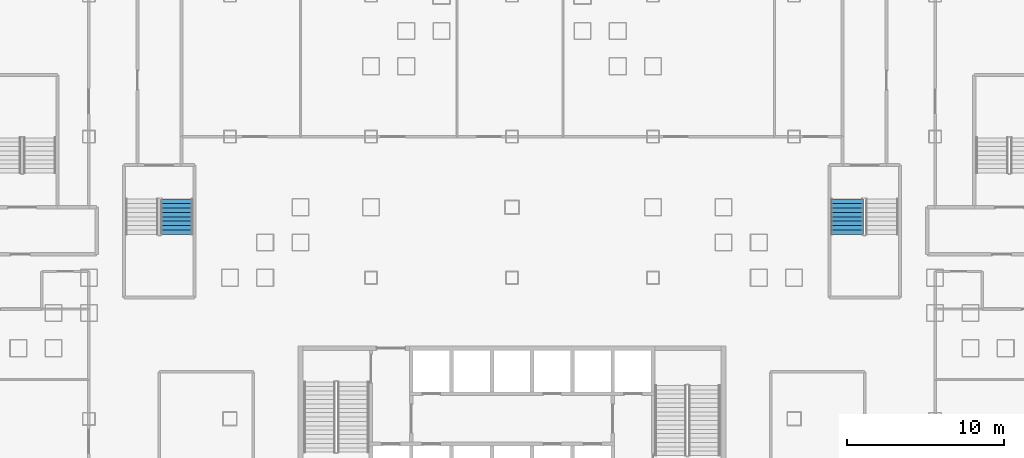
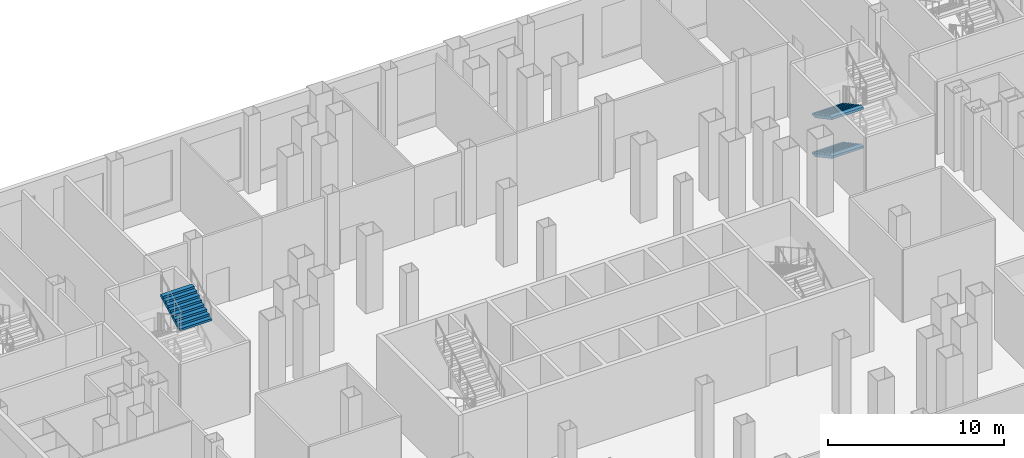
# One storey, part 18 of 27: 3 stair flights, 2 elements without a shape of their own.
"""IFC4 building model written with IfcOpenShell, lengths in metres."""

from ifc_helpers import new_model, si_unit, direction, frame, origin, place, context, subcontext, project, spatial, polygons, material, type_object, element, aggregate, save


model = new_model("IFC4")

# Units and contexts
model_context = context("Model", 3, precision=1e-05, world=origin(), true_north=direction((0.0, 1.0)))
body_context = subcontext(model_context, "Body", "Model", "MODEL_VIEW")
ifc_project = project(units=[si_unit("LENGTHUNIT", "METRE"), si_unit("AREAUNIT", "SQUARE_METRE"), si_unit("VOLUMEUNIT", "CUBIC_METRE"), si_unit("PLANEANGLEUNIT", "RADIAN"), si_unit("MASSUNIT", "GRAM", prefix="KILO")], contexts=[model_context])

# Site, building, storey
site_placement = place(None, origin())
site = spatial("IfcSite", under=ifc_project, at=site_placement, CompositionType="ELEMENT")
building_placement = place(site_placement, origin())
building = spatial("IfcBuilding", under=site, at=building_placement, Name="Caravel Reach Hotel and Residences", CompositionType="ELEMENT")
storey_placement = place(building_placement, frame((0.0, 0.0, 6.60009765625)))
storey = spatial("IfcBuildingStorey", under=building, at=storey_placement, Name="L01", CompositionType="ELEMENT", Elevation=6.60009765625)

# Stair, stair flight
ifc_material_1 = material(Name="Concrete C40", Category="concrete")
stair_type = type_object("IfcStairType", Name="Core stair", PredefinedType="HALF_TURN_STAIR", material=ifc_material_1)
stair_1_placement = place(storey_placement, origin())
stair_1 = element("IfcStair", 1, at=stair_1_placement, inside=storey, type_object=stair_type, Name="L01 Exit stair P1", PredefinedType="HALF_TURN_STAIR")
ifc_material_2 = material(Name="Concrete C40", Category="concrete")
stair_flight_type = type_object("IfcStairFlightType", Name="Core stair flight", PredefinedType="STRAIGHT", material=ifc_material_2)
stair_flight_1_placement = place(storey_placement, frame((10.110107421875, 38.77001953125, 4.0498046875), z_axis=(0.0, 0.0, 1.0), x_axis=(0.0, 1.0, 0.0)))
stair_flight_1 = element("IfcStairFlight", 2, at=stair_flight_1_placement, type_object=stair_flight_type, Name="ST-P1 flight 4", NumberOfRisers=9, NumberOfTreads=8, PredefinedType="STRAIGHT", RiserHeight=0.15, TreadLength=0.28, context=body_context, shape_type="Tessellation", body=[
    polygons([(0.3174408016601864, 1.0350341796875, 0.0), (0.3174408016601864, 0.6900227864583333, 0.0), (0.3174408016601864, 0.34501139322916663, 0.0), (0.3174408016601864, 0.0, 0.0), (0.3174408016601864, -0.34501139322916674, 0.0), (0.3174408016601864, -0.6900227864583333, 0.0), (0.3174408016601864, -1.0350341796875, 0.0), (2.241, 1.0350341796875, 1.029942427682043), (2.241, 0.6900227864583333, 1.029942427682043), (2.241, 0.34501139322916663, 1.029942427682043), (2.241, 0.0, 1.029942427682043), (2.241, -0.34501139322916674, 1.029942427682043), (2.241, -0.6900227864583333, 1.029942427682043), (2.241, -1.0350341796875, 1.029942427682043), (2.241, 1.0350341796875, 1.2), (2.241, 0.6900227864583333, 1.2), (2.241, 0.34501139322916663, 1.2), (2.241, 0.0, 1.2), (2.241, -0.34501139322916674, 1.2), (2.241, -0.6900227864583333, 1.2), (2.241, -1.0350341796875, 1.2), (1.9600000000000002, 1.0350341796875, 1.2), (1.9600000000000002, 0.6900227864583333, 1.2), (1.9600000000000002, 0.34501139322916663, 1.2), (1.9600000000000002, 0.0, 1.2), (1.9600000000000002, -0.34501139322916674, 1.2), (1.9600000000000002, -0.6900227864583333, 1.2), (1.9600000000000002, -1.0350341796875, 1.2), (1.9600000000000002, 1.0350341796875, 1.05), (1.9600000000000002, 0.6900227864583333, 1.05), (1.9600000000000002, 0.34501139322916663, 1.05), (1.9600000000000002, 0.0, 1.05), (1.9600000000000002, -0.34501139322916674, 1.05), (1.9600000000000002, -0.6900227864583333, 1.05), (1.9600000000000002, -1.0350341796875, 1.05), (1.6800000000000002, 1.0350341796875, 1.05), (1.6800000000000002, 0.6900227864583333, 1.05), (1.6800000000000002, 0.34501139322916663, 1.05), (1.6800000000000002, 0.0, 1.05), (1.6800000000000002, -0.34501139322916674, 1.05), (1.6800000000000002, -0.6900227864583333, 1.05), (1.6800000000000002, -1.0350341796875, 1.05), (1.6800000000000002, 1.0350341796875, 0.8999999999999999), (1.6800000000000002, 0.6900227864583333, 0.8999999999999999), (1.6800000000000002, 0.34501139322916663, 0.8999999999999999), (1.6800000000000002, 0.0, 0.8999999999999999), (1.6800000000000002, -0.34501139322916674, 0.8999999999999999), (1.6800000000000002, -0.6900227864583333, 0.8999999999999999), (1.6800000000000002, -1.0350341796875, 0.8999999999999999), (1.4000000000000001, 1.0350341796875, 0.8999999999999999), (1.4000000000000001, 0.6900227864583333, 0.8999999999999999), (1.4000000000000001, 0.34501139322916663, 0.8999999999999999), (1.4000000000000001, 0.0, 0.8999999999999999), (1.4000000000000001, -0.34501139322916674, 0.8999999999999999), (1.4000000000000001, -0.6900227864583333, 0.8999999999999999), (1.4000000000000001, -1.0350341796875, 0.8999999999999999), (1.4000000000000001, 1.0350341796875, 0.75), (1.4000000000000001, 0.6900227864583333, 0.75), (1.4000000000000001, 0.34501139322916663, 0.75), (1.4000000000000001, 0.0, 0.75), (1.4000000000000001, -0.34501139322916674, 0.75), (1.4000000000000001, -0.6900227864583333, 0.75), (1.4000000000000001, -1.0350341796875, 0.75), (1.12, 1.0350341796875, 0.75), (1.12, 0.6900227864583333, 0.75), (1.12, 0.34501139322916663, 0.75), (1.12, 0.0, 0.75), (1.12, -0.34501139322916674, 0.75), (1.12, -0.6900227864583333, 0.75), (1.12, -1.0350341796875, 0.75), (1.12, 1.0350341796875, 0.6), (1.12, 0.6900227864583333, 0.6), (1.12, 0.34501139322916663, 0.6), (1.12, 0.0, 0.6), (1.12, -0.34501139322916674, 0.6), (1.12, -0.6900227864583333, 0.6), (1.12, -1.0350341796875, 0.6), (0.8400000000000001, 1.0350341796875, 0.6), (0.8400000000000001, 0.6900227864583333, 0.6), (0.8400000000000001, 0.34501139322916663, 0.6), (0.8400000000000001, 0.0, 0.6), (0.8400000000000001, -0.34501139322916674, 0.6), (0.8400000000000001, -0.6900227864583333, 0.6), (0.8400000000000001, -1.0350341796875, 0.6), (0.8400000000000001, 1.0350341796875, 0.44999999999999996), (0.8400000000000001, 0.6900227864583333, 0.44999999999999996), (0.8400000000000001, 0.34501139322916663, 0.44999999999999996), (0.8400000000000001, 0.0, 0.44999999999999996), (0.8400000000000001, -0.34501139322916674, 0.44999999999999996), (0.8400000000000001, -0.6900227864583333, 0.44999999999999996), (0.8400000000000001, -1.0350341796875, 0.44999999999999996), (0.56, 1.0350341796875, 0.44999999999999996), (0.56, 0.6900227864583333, 0.44999999999999996), (0.56, 0.34501139322916663, 0.44999999999999996), (0.56, 0.0, 0.44999999999999996), (0.56, -0.34501139322916674, 0.44999999999999996), (0.56, -0.6900227864583333, 0.44999999999999996), (0.56, -1.0350341796875, 0.44999999999999996), (0.56, 1.0350341796875, 0.3), (0.56, 0.6900227864583333, 0.3), (0.56, 0.34501139322916663, 0.3), (0.56, 0.0, 0.3), (0.56, -0.34501139322916674, 0.3), (0.56, -0.6900227864583333, 0.3), (0.56, -1.0350341796875, 0.3), (0.28, 1.0350341796875, 0.3), (0.28, 0.6900227864583333, 0.3), (0.28, 0.34501139322916663, 0.3), (0.28, 0.0, 0.3), (0.28, -0.34501139322916674, 0.3), (0.28, -0.6900227864583333, 0.3), (0.28, -1.0350341796875, 0.3), (0.28, 1.0350341796875, 0.15), (0.28, 0.6900227864583333, 0.15), (0.28, 0.34501139322916663, 0.15), (0.28, 0.0, 0.15), (0.28, -0.34501139322916674, 0.15), (0.28, -0.6900227864583333, 0.15), (0.28, -1.0350341796875, 0.15), (-0.001, 1.0350341796875, 0.15), (-0.001, 0.6900227864583333, 0.15), (-0.001, 0.34501139322916663, 0.15), (-0.001, 0.0, 0.15), (-0.001, -0.34501139322916674, 0.15), (-0.001, -0.6900227864583333, 0.15), (-0.001, -1.0350341796875, 0.15), (-0.001, 1.0350341796875, 0.0), (-0.001, 0.6900227864583333, 0.0), (-0.001, 0.34501139322916663, 0.0), (-0.001, 0.0, 0.0), (-0.001, -0.34501139322916674, 0.0), (-0.001, -0.6900227864583333, 0.0), (-0.001, -1.0350341796875, 0.0)], [[[127, 120, 113, 106, 99, 92, 85, 78, 71, 64, 57, 50, 43, 36, 29, 22, 15, 8, 1]], [[7, 14, 21, 28, 35, 42, 49, 56, 63, 70, 77, 84, 91, 98, 105, 112, 119, 126, 133]], [[1, 8, 9, 2]], [[2, 9, 10, 3]], [[3, 10, 11, 4]], [[4, 11, 12, 5]], [[5, 12, 13, 6]], [[6, 13, 14, 7]], [[8, 15, 16, 9]], [[9, 16, 17, 10]], [[10, 17, 18, 11]], [[11, 18, 19, 12]], [[12, 19, 20, 13]], [[13, 20, 21, 14]], [[15, 22, 23, 16]], [[16, 23, 24, 17]], [[17, 24, 25, 18]], [[18, 25, 26, 19]], [[19, 26, 27, 20]], [[20, 27, 28, 21]], [[22, 29, 30, 23]], [[23, 30, 31, 24]], [[24, 31, 32, 25]], [[25, 32, 33, 26]], [[26, 33, 34, 27]], [[27, 34, 35, 28]], [[29, 36, 37, 30]], [[30, 37, 38, 31]], [[31, 38, 39, 32]], [[32, 39, 40, 33]], [[33, 40, 41, 34]], [[34, 41, 42, 35]], [[36, 43, 44, 37]], [[37, 44, 45, 38]], [[38, 45, 46, 39]], [[39, 46, 47, 40]], [[40, 47, 48, 41]], [[41, 48, 49, 42]], [[43, 50, 51, 44]], [[44, 51, 52, 45]], [[45, 52, 53, 46]], [[46, 53, 54, 47]], [[47, 54, 55, 48]], [[48, 55, 56, 49]], [[50, 57, 58, 51]], [[51, 58, 59, 52]], [[52, 59, 60, 53]], [[53, 60, 61, 54]], [[54, 61, 62, 55]], [[55, 62, 63, 56]], [[57, 64, 65, 58]], [[58, 65, 66, 59]], [[59, 66, 67, 60]], [[60, 67, 68, 61]], [[61, 68, 69, 62]], [[62, 69, 70, 63]], [[64, 71, 72, 65]], [[65, 72, 73, 66]], [[66, 73, 74, 67]], [[67, 74, 75, 68]], [[68, 75, 76, 69]], [[69, 76, 77, 70]], [[71, 78, 79, 72]], [[72, 79, 80, 73]], [[73, 80, 81, 74]], [[74, 81, 82, 75]], [[75, 82, 83, 76]], [[76, 83, 84, 77]], [[78, 85, 86, 79]], [[79, 86, 87, 80]], [[80, 87, 88, 81]], [[81, 88, 89, 82]], [[82, 89, 90, 83]], [[83, 90, 91, 84]], [[85, 92, 93, 86]], [[86, 93, 94, 87]], [[87, 94, 95, 88]], [[88, 95, 96, 89]], [[89, 96, 97, 90]], [[90, 97, 98, 91]], [[92, 99, 100, 93]], [[93, 100, 101, 94]], [[94, 101, 102, 95]], [[95, 102, 103, 96]], [[96, 103, 104, 97]], [[97, 104, 105, 98]], [[99, 106, 107, 100]], [[100, 107, 108, 101]], [[101, 108, 109, 102]], [[102, 109, 110, 103]], [[103, 110, 111, 104]], [[104, 111, 112, 105]], [[106, 113, 114, 107]], [[107, 114, 115, 108]], [[108, 115, 116, 109]], [[109, 116, 117, 110]], [[110, 117, 118, 111]], [[111, 118, 119, 112]], [[113, 120, 121, 114]], [[114, 121, 122, 115]], [[115, 122, 123, 116]], [[116, 123, 124, 117]], [[117, 124, 125, 118]], [[118, 125, 126, 119]], [[120, 127, 128, 121]], [[121, 128, 129, 122]], [[122, 129, 130, 123]], [[123, 130, 131, 124]], [[124, 131, 132, 125]], [[125, 132, 133, 126]], [[127, 1, 2, 128]], [[128, 2, 3, 129]], [[129, 3, 4, 130]], [[130, 4, 5, 131]], [[131, 5, 6, 132]], [[132, 6, 7, 133]]], closed=True),
])
aggregate(stair_1, [stair_flight_1])

# Stair, stair flights
stair_2_placement = place(storey_placement, origin())
stair_2 = element("IfcStair", 3, at=stair_2_placement, inside=storey, type_object=stair_type, Name="L01 Exit stair P2", PredefinedType="HALF_TURN_STAIR")
stair_flight_2_placement = place(storey_placement, frame((52.889892578125, 41.010009765625, 0.0), z_axis=(0.0, 0.0, 1.0), x_axis=(0.0, -1.0, 0.0)))
stair_flight_2 = element("IfcStairFlight", 4, at=stair_flight_2_placement, type_object=stair_flight_type, Name="ST-P2 flight 1", NumberOfRisers=9, NumberOfTreads=8, PredefinedType="STRAIGHT", RiserHeight=0.15, TreadLength=0.28, context=body_context, shape_type="Tessellation", body=[
    polygons([(0.3174408016601864, 1.0350341796875, 0.0), (0.3174408016601864, 0.6900227864583333, 0.0), (0.3174408016601864, 0.34501139322916663, 0.0), (0.3174408016601864, 0.0, 0.0), (0.3174408016601864, -0.34501139322916674, 0.0), (0.3174408016601864, -0.6900227864583333, 0.0), (0.3174408016601864, -1.0350341796875, 0.0), (2.241, 1.0350341796875, 1.029942427682043), (2.241, 0.6900227864583333, 1.029942427682043), (2.241, 0.34501139322916663, 1.029942427682043), (2.241, 0.0, 1.029942427682043), (2.241, -0.34501139322916674, 1.029942427682043), (2.241, -0.6900227864583333, 1.029942427682043), (2.241, -1.0350341796875, 1.029942427682043), (2.241, 1.0350341796875, 1.2), (2.241, 0.6900227864583333, 1.2), (2.241, 0.34501139322916663, 1.2), (2.241, 0.0, 1.2), (2.241, -0.34501139322916674, 1.2), (2.241, -0.6900227864583333, 1.2), (2.241, -1.0350341796875, 1.2), (1.9600000000000002, 1.0350341796875, 1.2), (1.9600000000000002, 0.6900227864583333, 1.2), (1.9600000000000002, 0.34501139322916663, 1.2), (1.9600000000000002, 0.0, 1.2), (1.9600000000000002, -0.34501139322916674, 1.2), (1.9600000000000002, -0.6900227864583333, 1.2), (1.9600000000000002, -1.0350341796875, 1.2), (1.9600000000000002, 1.0350341796875, 1.05), (1.9600000000000002, 0.6900227864583333, 1.05), (1.9600000000000002, 0.34501139322916663, 1.05), (1.9600000000000002, 0.0, 1.05), (1.9600000000000002, -0.34501139322916674, 1.05), (1.9600000000000002, -0.6900227864583333, 1.05), (1.9600000000000002, -1.0350341796875, 1.05), (1.6800000000000002, 1.0350341796875, 1.05), (1.6800000000000002, 0.6900227864583333, 1.05), (1.6800000000000002, 0.34501139322916663, 1.05), (1.6800000000000002, 0.0, 1.05), (1.6800000000000002, -0.34501139322916674, 1.05), (1.6800000000000002, -0.6900227864583333, 1.05), (1.6800000000000002, -1.0350341796875, 1.05), (1.6800000000000002, 1.0350341796875, 0.8999999999999999), (1.6800000000000002, 0.6900227864583333, 0.8999999999999999), (1.6800000000000002, 0.34501139322916663, 0.8999999999999999), (1.6800000000000002, 0.0, 0.8999999999999999), (1.6800000000000002, -0.34501139322916674, 0.8999999999999999), (1.6800000000000002, -0.6900227864583333, 0.8999999999999999), (1.6800000000000002, -1.0350341796875, 0.8999999999999999), (1.4000000000000001, 1.0350341796875, 0.8999999999999999), (1.4000000000000001, 0.6900227864583333, 0.8999999999999999), (1.4000000000000001, 0.34501139322916663, 0.8999999999999999), (1.4000000000000001, 0.0, 0.8999999999999999), (1.4000000000000001, -0.34501139322916674, 0.8999999999999999), (1.4000000000000001, -0.6900227864583333, 0.8999999999999999), (1.4000000000000001, -1.0350341796875, 0.8999999999999999), (1.4000000000000001, 1.0350341796875, 0.75), (1.4000000000000001, 0.6900227864583333, 0.75), (1.4000000000000001, 0.34501139322916663, 0.75), (1.4000000000000001, 0.0, 0.75), (1.4000000000000001, -0.34501139322916674, 0.75), (1.4000000000000001, -0.6900227864583333, 0.75), (1.4000000000000001, -1.0350341796875, 0.75), (1.12, 1.0350341796875, 0.75), (1.12, 0.6900227864583333, 0.75), (1.12, 0.34501139322916663, 0.75), (1.12, 0.0, 0.75), (1.12, -0.34501139322916674, 0.75), (1.12, -0.6900227864583333, 0.75), (1.12, -1.0350341796875, 0.75), (1.12, 1.0350341796875, 0.6), (1.12, 0.6900227864583333, 0.6), (1.12, 0.34501139322916663, 0.6), (1.12, 0.0, 0.6), (1.12, -0.34501139322916674, 0.6), (1.12, -0.6900227864583333, 0.6), (1.12, -1.0350341796875, 0.6), (0.8400000000000001, 1.0350341796875, 0.6), (0.8400000000000001, 0.6900227864583333, 0.6), (0.8400000000000001, 0.34501139322916663, 0.6), (0.8400000000000001, 0.0, 0.6), (0.8400000000000001, -0.34501139322916674, 0.6), (0.8400000000000001, -0.6900227864583333, 0.6), (0.8400000000000001, -1.0350341796875, 0.6), (0.8400000000000001, 1.0350341796875, 0.44999999999999996), (0.8400000000000001, 0.6900227864583333, 0.44999999999999996), (0.8400000000000001, 0.34501139322916663, 0.44999999999999996), (0.8400000000000001, 0.0, 0.44999999999999996), (0.8400000000000001, -0.34501139322916674, 0.44999999999999996), (0.8400000000000001, -0.6900227864583333, 0.44999999999999996), (0.8400000000000001, -1.0350341796875, 0.44999999999999996), (0.56, 1.0350341796875, 0.44999999999999996), (0.56, 0.6900227864583333, 0.44999999999999996), (0.56, 0.34501139322916663, 0.44999999999999996), (0.56, 0.0, 0.44999999999999996), (0.56, -0.34501139322916674, 0.44999999999999996), (0.56, -0.6900227864583333, 0.44999999999999996), (0.56, -1.0350341796875, 0.44999999999999996), (0.56, 1.0350341796875, 0.3), (0.56, 0.6900227864583333, 0.3), (0.56, 0.34501139322916663, 0.3), (0.56, 0.0, 0.3), (0.56, -0.34501139322916674, 0.3), (0.56, -0.6900227864583333, 0.3), (0.56, -1.0350341796875, 0.3), (0.28, 1.0350341796875, 0.3), (0.28, 0.6900227864583333, 0.3), (0.28, 0.34501139322916663, 0.3), (0.28, 0.0, 0.3), (0.28, -0.34501139322916674, 0.3), (0.28, -0.6900227864583333, 0.3), (0.28, -1.0350341796875, 0.3), (0.28, 1.0350341796875, 0.15), (0.28, 0.6900227864583333, 0.15), (0.28, 0.34501139322916663, 0.15), (0.28, 0.0, 0.15), (0.28, -0.34501139322916674, 0.15), (0.28, -0.6900227864583333, 0.15), (0.28, -1.0350341796875, 0.15), (-0.001, 1.0350341796875, 0.15), (-0.001, 0.6900227864583333, 0.15), (-0.001, 0.34501139322916663, 0.15), (-0.001, 0.0, 0.15), (-0.001, -0.34501139322916674, 0.15), (-0.001, -0.6900227864583333, 0.15), (-0.001, -1.0350341796875, 0.15), (-0.001, 1.0350341796875, 0.0), (-0.001, 0.6900227864583333, 0.0), (-0.001, 0.34501139322916663, 0.0), (-0.001, 0.0, 0.0), (-0.001, -0.34501139322916674, 0.0), (-0.001, -0.6900227864583333, 0.0), (-0.001, -1.0350341796875, 0.0)], [[[127, 120, 113, 106, 99, 92, 85, 78, 71, 64, 57, 50, 43, 36, 29, 22, 15, 8, 1]], [[7, 14, 21, 28, 35, 42, 49, 56, 63, 70, 77, 84, 91, 98, 105, 112, 119, 126, 133]], [[1, 8, 9, 2]], [[2, 9, 10, 3]], [[3, 10, 11, 4]], [[4, 11, 12, 5]], [[5, 12, 13, 6]], [[6, 13, 14, 7]], [[8, 15, 16, 9]], [[9, 16, 17, 10]], [[10, 17, 18, 11]], [[11, 18, 19, 12]], [[12, 19, 20, 13]], [[13, 20, 21, 14]], [[15, 22, 23, 16]], [[16, 23, 24, 17]], [[17, 24, 25, 18]], [[18, 25, 26, 19]], [[19, 26, 27, 20]], [[20, 27, 28, 21]], [[22, 29, 30, 23]], [[23, 30, 31, 24]], [[24, 31, 32, 25]], [[25, 32, 33, 26]], [[26, 33, 34, 27]], [[27, 34, 35, 28]], [[29, 36, 37, 30]], [[30, 37, 38, 31]], [[31, 38, 39, 32]], [[32, 39, 40, 33]], [[33, 40, 41, 34]], [[34, 41, 42, 35]], [[36, 43, 44, 37]], [[37, 44, 45, 38]], [[38, 45, 46, 39]], [[39, 46, 47, 40]], [[40, 47, 48, 41]], [[41, 48, 49, 42]], [[43, 50, 51, 44]], [[44, 51, 52, 45]], [[45, 52, 53, 46]], [[46, 53, 54, 47]], [[47, 54, 55, 48]], [[48, 55, 56, 49]], [[50, 57, 58, 51]], [[51, 58, 59, 52]], [[52, 59, 60, 53]], [[53, 60, 61, 54]], [[54, 61, 62, 55]], [[55, 62, 63, 56]], [[57, 64, 65, 58]], [[58, 65, 66, 59]], [[59, 66, 67, 60]], [[60, 67, 68, 61]], [[61, 68, 69, 62]], [[62, 69, 70, 63]], [[64, 71, 72, 65]], [[65, 72, 73, 66]], [[66, 73, 74, 67]], [[67, 74, 75, 68]], [[68, 75, 76, 69]], [[69, 76, 77, 70]], [[71, 78, 79, 72]], [[72, 79, 80, 73]], [[73, 80, 81, 74]], [[74, 81, 82, 75]], [[75, 82, 83, 76]], [[76, 83, 84, 77]], [[78, 85, 86, 79]], [[79, 86, 87, 80]], [[80, 87, 88, 81]], [[81, 88, 89, 82]], [[82, 89, 90, 83]], [[83, 90, 91, 84]], [[85, 92, 93, 86]], [[86, 93, 94, 87]], [[87, 94, 95, 88]], [[88, 95, 96, 89]], [[89, 96, 97, 90]], [[90, 97, 98, 91]], [[92, 99, 100, 93]], [[93, 100, 101, 94]], [[94, 101, 102, 95]], [[95, 102, 103, 96]], [[96, 103, 104, 97]], [[97, 104, 105, 98]], [[99, 106, 107, 100]], [[100, 107, 108, 101]], [[101, 108, 109, 102]], [[102, 109, 110, 103]], [[103, 110, 111, 104]], [[104, 111, 112, 105]], [[106, 113, 114, 107]], [[107, 114, 115, 108]], [[108, 115, 116, 109]], [[109, 116, 117, 110]], [[110, 117, 118, 111]], [[111, 118, 119, 112]], [[113, 120, 121, 114]], [[114, 121, 122, 115]], [[115, 122, 123, 116]], [[116, 123, 124, 117]], [[117, 124, 125, 118]], [[118, 125, 126, 119]], [[120, 127, 128, 121]], [[121, 128, 129, 122]], [[122, 129, 130, 123]], [[123, 130, 131, 124]], [[124, 131, 132, 125]], [[125, 132, 133, 126]], [[127, 1, 2, 128]], [[128, 2, 3, 129]], [[129, 3, 4, 130]], [[130, 4, 5, 131]], [[131, 5, 6, 132]], [[132, 6, 7, 133]]], closed=True),
])
stair_flight_3_placement = place(storey_placement, frame((52.889892578125, 41.010009765625, 2.699951171875), z_axis=(0.0, 0.0, 1.0), x_axis=(0.0, -1.0, 0.0)))
stair_flight_3 = element("IfcStairFlight", 5, at=stair_flight_3_placement, type_object=stair_flight_type, Name="ST-P2 flight 3", NumberOfRisers=9, NumberOfTreads=8, PredefinedType="STRAIGHT", RiserHeight=0.15, TreadLength=0.28, context=body_context, shape_type="Tessellation", body=[
    polygons([(0.3174408016601864, 1.0350341796875, 0.0), (0.3174408016601864, 0.6900227864583333, 0.0), (0.3174408016601864, 0.34501139322916663, 0.0), (0.3174408016601864, 0.0, 0.0), (0.3174408016601864, -0.34501139322916674, 0.0), (0.3174408016601864, -0.6900227864583333, 0.0), (0.3174408016601864, -1.0350341796875, 0.0), (2.241, 1.0350341796875, 1.029942427682043), (2.241, 0.6900227864583333, 1.029942427682043), (2.241, 0.34501139322916663, 1.029942427682043), (2.241, 0.0, 1.029942427682043), (2.241, -0.34501139322916674, 1.029942427682043), (2.241, -0.6900227864583333, 1.029942427682043), (2.241, -1.0350341796875, 1.029942427682043), (2.241, 1.0350341796875, 1.2), (2.241, 0.6900227864583333, 1.2), (2.241, 0.34501139322916663, 1.2), (2.241, 0.0, 1.2), (2.241, -0.34501139322916674, 1.2), (2.241, -0.6900227864583333, 1.2), (2.241, -1.0350341796875, 1.2), (1.9600000000000002, 1.0350341796875, 1.2), (1.9600000000000002, 0.6900227864583333, 1.2), (1.9600000000000002, 0.34501139322916663, 1.2), (1.9600000000000002, 0.0, 1.2), (1.9600000000000002, -0.34501139322916674, 1.2), (1.9600000000000002, -0.6900227864583333, 1.2), (1.9600000000000002, -1.0350341796875, 1.2), (1.9600000000000002, 1.0350341796875, 1.05), (1.9600000000000002, 0.6900227864583333, 1.05), (1.9600000000000002, 0.34501139322916663, 1.05), (1.9600000000000002, 0.0, 1.05), (1.9600000000000002, -0.34501139322916674, 1.05), (1.9600000000000002, -0.6900227864583333, 1.05), (1.9600000000000002, -1.0350341796875, 1.05), (1.6800000000000002, 1.0350341796875, 1.05), (1.6800000000000002, 0.6900227864583333, 1.05), (1.6800000000000002, 0.34501139322916663, 1.05), (1.6800000000000002, 0.0, 1.05), (1.6800000000000002, -0.34501139322916674, 1.05), (1.6800000000000002, -0.6900227864583333, 1.05), (1.6800000000000002, -1.0350341796875, 1.05), (1.6800000000000002, 1.0350341796875, 0.8999999999999999), (1.6800000000000002, 0.6900227864583333, 0.8999999999999999), (1.6800000000000002, 0.34501139322916663, 0.8999999999999999), (1.6800000000000002, 0.0, 0.8999999999999999), (1.6800000000000002, -0.34501139322916674, 0.8999999999999999), (1.6800000000000002, -0.6900227864583333, 0.8999999999999999), (1.6800000000000002, -1.0350341796875, 0.8999999999999999), (1.4000000000000001, 1.0350341796875, 0.8999999999999999), (1.4000000000000001, 0.6900227864583333, 0.8999999999999999), (1.4000000000000001, 0.34501139322916663, 0.8999999999999999), (1.4000000000000001, 0.0, 0.8999999999999999), (1.4000000000000001, -0.34501139322916674, 0.8999999999999999), (1.4000000000000001, -0.6900227864583333, 0.8999999999999999), (1.4000000000000001, -1.0350341796875, 0.8999999999999999), (1.4000000000000001, 1.0350341796875, 0.75), (1.4000000000000001, 0.6900227864583333, 0.75), (1.4000000000000001, 0.34501139322916663, 0.75), (1.4000000000000001, 0.0, 0.75), (1.4000000000000001, -0.34501139322916674, 0.75), (1.4000000000000001, -0.6900227864583333, 0.75), (1.4000000000000001, -1.0350341796875, 0.75), (1.12, 1.0350341796875, 0.75), (1.12, 0.6900227864583333, 0.75), (1.12, 0.34501139322916663, 0.75), (1.12, 0.0, 0.75), (1.12, -0.34501139322916674, 0.75), (1.12, -0.6900227864583333, 0.75), (1.12, -1.0350341796875, 0.75), (1.12, 1.0350341796875, 0.6), (1.12, 0.6900227864583333, 0.6), (1.12, 0.34501139322916663, 0.6), (1.12, 0.0, 0.6), (1.12, -0.34501139322916674, 0.6), (1.12, -0.6900227864583333, 0.6), (1.12, -1.0350341796875, 0.6), (0.8400000000000001, 1.0350341796875, 0.6), (0.8400000000000001, 0.6900227864583333, 0.6), (0.8400000000000001, 0.34501139322916663, 0.6), (0.8400000000000001, 0.0, 0.6), (0.8400000000000001, -0.34501139322916674, 0.6), (0.8400000000000001, -0.6900227864583333, 0.6), (0.8400000000000001, -1.0350341796875, 0.6), (0.8400000000000001, 1.0350341796875, 0.44999999999999996), (0.8400000000000001, 0.6900227864583333, 0.44999999999999996), (0.8400000000000001, 0.34501139322916663, 0.44999999999999996), (0.8400000000000001, 0.0, 0.44999999999999996), (0.8400000000000001, -0.34501139322916674, 0.44999999999999996), (0.8400000000000001, -0.6900227864583333, 0.44999999999999996), (0.8400000000000001, -1.0350341796875, 0.44999999999999996), (0.56, 1.0350341796875, 0.44999999999999996), (0.56, 0.6900227864583333, 0.44999999999999996), (0.56, 0.34501139322916663, 0.44999999999999996), (0.56, 0.0, 0.44999999999999996), (0.56, -0.34501139322916674, 0.44999999999999996), (0.56, -0.6900227864583333, 0.44999999999999996), (0.56, -1.0350341796875, 0.44999999999999996), (0.56, 1.0350341796875, 0.3), (0.56, 0.6900227864583333, 0.3), (0.56, 0.34501139322916663, 0.3), (0.56, 0.0, 0.3), (0.56, -0.34501139322916674, 0.3), (0.56, -0.6900227864583333, 0.3), (0.56, -1.0350341796875, 0.3), (0.28, 1.0350341796875, 0.3), (0.28, 0.6900227864583333, 0.3), (0.28, 0.34501139322916663, 0.3), (0.28, 0.0, 0.3), (0.28, -0.34501139322916674, 0.3), (0.28, -0.6900227864583333, 0.3), (0.28, -1.0350341796875, 0.3), (0.28, 1.0350341796875, 0.15), (0.28, 0.6900227864583333, 0.15), (0.28, 0.34501139322916663, 0.15), (0.28, 0.0, 0.15), (0.28, -0.34501139322916674, 0.15), (0.28, -0.6900227864583333, 0.15), (0.28, -1.0350341796875, 0.15), (-0.001, 1.0350341796875, 0.15), (-0.001, 0.6900227864583333, 0.15), (-0.001, 0.34501139322916663, 0.15), (-0.001, 0.0, 0.15), (-0.001, -0.34501139322916674, 0.15), (-0.001, -0.6900227864583333, 0.15), (-0.001, -1.0350341796875, 0.15), (-0.001, 1.0350341796875, 0.0), (-0.001, 0.6900227864583333, 0.0), (-0.001, 0.34501139322916663, 0.0), (-0.001, 0.0, 0.0), (-0.001, -0.34501139322916674, 0.0), (-0.001, -0.6900227864583333, 0.0), (-0.001, -1.0350341796875, 0.0)], [[[127, 120, 113, 106, 99, 92, 85, 78, 71, 64, 57, 50, 43, 36, 29, 22, 15, 8, 1]], [[7, 14, 21, 28, 35, 42, 49, 56, 63, 70, 77, 84, 91, 98, 105, 112, 119, 126, 133]], [[1, 8, 9, 2]], [[2, 9, 10, 3]], [[3, 10, 11, 4]], [[4, 11, 12, 5]], [[5, 12, 13, 6]], [[6, 13, 14, 7]], [[8, 15, 16, 9]], [[9, 16, 17, 10]], [[10, 17, 18, 11]], [[11, 18, 19, 12]], [[12, 19, 20, 13]], [[13, 20, 21, 14]], [[15, 22, 23, 16]], [[16, 23, 24, 17]], [[17, 24, 25, 18]], [[18, 25, 26, 19]], [[19, 26, 27, 20]], [[20, 27, 28, 21]], [[22, 29, 30, 23]], [[23, 30, 31, 24]], [[24, 31, 32, 25]], [[25, 32, 33, 26]], [[26, 33, 34, 27]], [[27, 34, 35, 28]], [[29, 36, 37, 30]], [[30, 37, 38, 31]], [[31, 38, 39, 32]], [[32, 39, 40, 33]], [[33, 40, 41, 34]], [[34, 41, 42, 35]], [[36, 43, 44, 37]], [[37, 44, 45, 38]], [[38, 45, 46, 39]], [[39, 46, 47, 40]], [[40, 47, 48, 41]], [[41, 48, 49, 42]], [[43, 50, 51, 44]], [[44, 51, 52, 45]], [[45, 52, 53, 46]], [[46, 53, 54, 47]], [[47, 54, 55, 48]], [[48, 55, 56, 49]], [[50, 57, 58, 51]], [[51, 58, 59, 52]], [[52, 59, 60, 53]], [[53, 60, 61, 54]], [[54, 61, 62, 55]], [[55, 62, 63, 56]], [[57, 64, 65, 58]], [[58, 65, 66, 59]], [[59, 66, 67, 60]], [[60, 67, 68, 61]], [[61, 68, 69, 62]], [[62, 69, 70, 63]], [[64, 71, 72, 65]], [[65, 72, 73, 66]], [[66, 73, 74, 67]], [[67, 74, 75, 68]], [[68, 75, 76, 69]], [[69, 76, 77, 70]], [[71, 78, 79, 72]], [[72, 79, 80, 73]], [[73, 80, 81, 74]], [[74, 81, 82, 75]], [[75, 82, 83, 76]], [[76, 83, 84, 77]], [[78, 85, 86, 79]], [[79, 86, 87, 80]], [[80, 87, 88, 81]], [[81, 88, 89, 82]], [[82, 89, 90, 83]], [[83, 90, 91, 84]], [[85, 92, 93, 86]], [[86, 93, 94, 87]], [[87, 94, 95, 88]], [[88, 95, 96, 89]], [[89, 96, 97, 90]], [[90, 97, 98, 91]], [[92, 99, 100, 93]], [[93, 100, 101, 94]], [[94, 101, 102, 95]], [[95, 102, 103, 96]], [[96, 103, 104, 97]], [[97, 104, 105, 98]], [[99, 106, 107, 100]], [[100, 107, 108, 101]], [[101, 108, 109, 102]], [[102, 109, 110, 103]], [[103, 110, 111, 104]], [[104, 111, 112, 105]], [[106, 113, 114, 107]], [[107, 114, 115, 108]], [[108, 115, 116, 109]], [[109, 116, 117, 110]], [[110, 117, 118, 111]], [[111, 118, 119, 112]], [[113, 120, 121, 114]], [[114, 121, 122, 115]], [[115, 122, 123, 116]], [[116, 123, 124, 117]], [[117, 124, 125, 118]], [[118, 125, 126, 119]], [[120, 127, 128, 121]], [[121, 128, 129, 122]], [[122, 129, 130, 123]], [[123, 130, 131, 124]], [[124, 131, 132, 125]], [[125, 132, 133, 126]], [[127, 1, 2, 128]], [[128, 2, 3, 129]], [[129, 3, 4, 130]], [[130, 4, 5, 131]], [[131, 5, 6, 132]], [[132, 6, 7, 133]]], closed=True),
])
aggregate(stair_2, [stair_flight_2, stair_flight_3])

save(model, "model.ifc")
